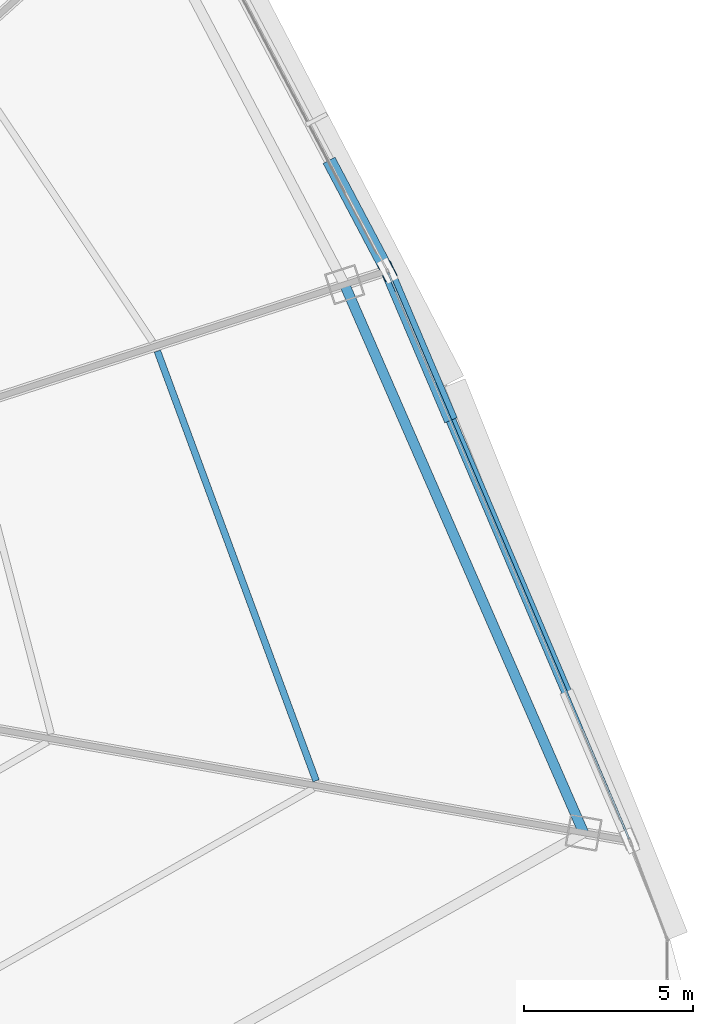
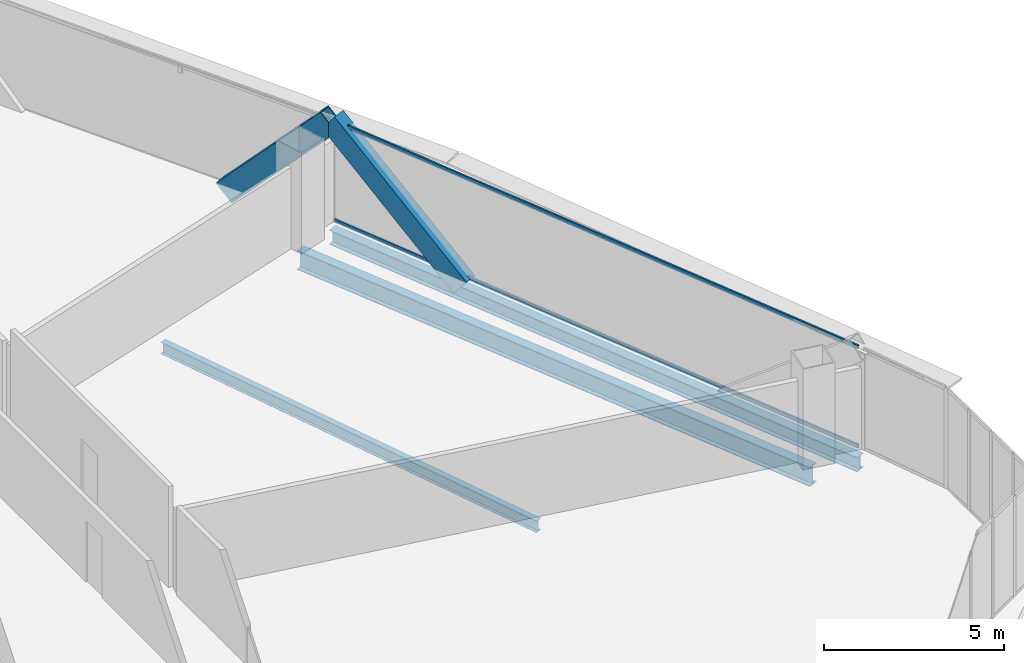
# One storey, part 27 of 41: 4 members, 3 beams, 1 element without a shape of its own.
"""IFC4 building model written with IfcOpenShell, lengths in metres."""

from ifc_helpers import new_model, si_unit, direction, frame, origin, origin_2d, place, context, subcontext, project, spatial, hollow_rectangle, i_section, extrude, source, transform, mapped, material, layer, layer_set, material_profile, profile_set, type_object, element, aggregate, save


model = new_model("IFC4")

# Units and contexts
model_context = context("Model", 3, precision=1e-05, world=origin(), true_north=direction((0.0, 1.0)))
body_context = subcontext(model_context, "Body", "Model", "MODEL_VIEW")
ifc_project = project(units=[si_unit("LENGTHUNIT", "METRE"), si_unit("AREAUNIT", "SQUARE_METRE"), si_unit("VOLUMEUNIT", "CUBIC_METRE"), si_unit("PLANEANGLEUNIT", "RADIAN"), si_unit("MASSUNIT", "GRAM", prefix="KILO"), si_unit("THERMODYNAMICTEMPERATUREUNIT", "KELVIN"), si_unit("POWERUNIT", "WATT")], contexts=[model_context])

# Site, building, storey
site_placement = place(None, origin())
site = spatial("IfcSite", under=ifc_project, at=site_placement, CompositionType="ELEMENT")
building_placement = place(site_placement, origin())
building = spatial("IfcBuilding", under=site, at=building_placement, Name="Yunzhuo Pagoda Commons", CompositionType="ELEMENT")
storey_placement = place(building_placement, frame((0.0, 0.0, 155.590087890625)))
storey = spatial("IfcBuildingStorey", under=building, at=storey_placement, Name="L39", CompositionType="ELEMENT", Elevation=155.590087890625)

# Beams
ifc_material_1 = material(Name="Structural steel Q355B", Category="steel")
ifc_material_profile_1 = material_profile(ifc_material_1, i_section(OverallWidth=0.300048828125, OverallDepth=0.64990234375, WebThickness=0.012939453125, FlangeThickness=0.02197265625, at=origin_2d()), Name="Structural steel Q355B")
ifc_profile_set_1 = profile_set([ifc_material_profile_1], Name="Structural steel Q355B")
beam_type_1 = type_object("IfcBeamType", Name="B-RG2 Beam HN 650x300x13x22", PredefinedType="BEAM", material=ifc_profile_set_1)
shared_shape_1 = source(origin(), body_context, "Body", "SweptSolid", [
    extrude(i_section(OverallWidth=0.300048828125, OverallDepth=0.64990234375, WebThickness=0.012939453125, FlangeThickness=0.02197265625, at=origin_2d()), origin(), (0.0, 0.0, 1.0), 17.72021484375),
])
beam_1_placement = place(storey_placement, frame((84.9970703125, 27.176513671875, -0.585205078125), z_axis=(-0.399643307961, 0.916670729544, 0.0), x_axis=(-0.916670729544, -0.399643307961, 0.0)))
element("IfcBeam", 1, at=beam_1_placement, inside=storey, type_object=beam_type_1, Name="L39 column-ring beam 5", PredefinedType="BEAM", context=body_context, shape_type="MappedRepresentation", body=[
    mapped(shared_shape_1, transform((0.0, 0.0, 0.0), scale=1.0)),
])
ifc_material_profile_2 = material_profile(ifc_material_1, i_section(OverallWidth=0.199951171875, OverallDepth=0.39990234375, WebThickness=0.008056640625, FlangeThickness=0.012939453125, at=origin_2d()), Name="Structural steel Q355B")
ifc_profile_set_2 = profile_set([ifc_material_profile_2], Name="Structural steel Q355B")
beam_type_2 = type_object("IfcBeamType", Name="B-JS1 Joist HN 400x200x8x13", PredefinedType="JOIST", material=ifc_profile_set_2)
shared_shape_2 = source(origin(), body_context, "Body", "SweptSolid", [
    extrude(i_section(OverallWidth=0.199951171875, OverallDepth=0.39990234375, WebThickness=0.008056640625, FlangeThickness=0.012939453125, at=origin_2d()), origin(), (0.0, 0.0, 1.0), 13.57763671875),
])
beam_2_placement = place(storey_placement, frame((77.07080078125, 28.71337890625, -0.460205078125), z_axis=(-0.346531829181, 0.938038214235, 0.0), x_axis=(-0.938038214235, -0.346531829181, 0.0)))
element("IfcBeam", 2, at=beam_2_placement, inside=storey, type_object=beam_type_2, Name="L39 composite ring joist 2.5", PredefinedType="JOIST", context=body_context, shape_type="MappedRepresentation", body=[
    mapped(shared_shape_2, transform((0.0, 0.0, 0.0), scale=1.0)),
])
ifc_material_profile_3 = material_profile(ifc_material_1, i_section(OverallWidth=0.300048828125, OverallDepth=0.488037109375, WebThickness=0.010986328125, FlangeThickness=0.01806640625, at=origin_2d()), Name="Structural steel Q355B")
ifc_profile_set_3 = profile_set([ifc_material_profile_3], Name="Structural steel Q355B")
beam_type_3 = type_object("IfcBeamType", Name="B-SP1 Beam HM 488x300x11x18", PredefinedType="BEAM", material=ifc_profile_set_3)
shared_shape_3 = source(origin(), body_context, "Body", "SweptSolid", [
    extrude(i_section(OverallWidth=0.300048828125, OverallDepth=0.488037109375, WebThickness=0.010986328125, FlangeThickness=0.01806640625, at=origin_2d()), origin(), (0.0, 0.0, 1.0), 18.362548828125),
])
beam_3_placement = place(storey_placement, frame((86.3701171875, 26.934326171875, -0.50390625), z_axis=(-0.391409773714, 0.920216490312, 0.0), x_axis=(-0.920216490312, -0.391409773714, 0.0)))
element("IfcBeam", 3, at=beam_3_placement, inside=storey, type_object=beam_type_3, Name="L39 facade edge spandrel beam F2.1", PredefinedType="BEAM", context=body_context, shape_type="MappedRepresentation", body=[
    mapped(shared_shape_3, transform((0.0, 0.0, 0.0), scale=1.0)),
])

# Members
ifc_material_profile_4 = material_profile(ifc_material_1, hollow_rectangle(XDim=0.39990234375, YDim=0.719970703125, WallThickness=0.02392578125, at=origin_2d()), Name="Structural steel Q355B")
ifc_profile_set_4 = profile_set([ifc_material_profile_4], Name="Structural steel Q355B")
member_type_1 = type_object("IfcMemberType", Name="M-DL2 Brace BOX 720x400x24", PredefinedType="BRACE", material=ifc_profile_set_4)
shared_shape_4 = source(origin(), body_context, "Body", "SweptSolid", [
    extrude(hollow_rectangle(XDim=0.39990234375, YDim=0.719970703125, WallThickness=0.02392578125, at=origin_2d()), origin(), (0.0, 0.0, 1.0), 5.883544921875),
])
member_1_placement = place(storey_placement, frame((80.9794921875, 39.607421875, -0.260009765625), z_axis=(-0.305370042865, 0.718007589577, 0.625471212951), x_axis=(-0.920230856435, -0.391375996793, 0.0)))
element("IfcMember", 4, at=member_1_placement, inside=storey, type_object=member_type_1, Name="L39 facade diamond brace F2.1R", PredefinedType="BRACE", context=body_context, shape_type="MappedRepresentation", body=[
    mapped(shared_shape_4, transform((0.0, 0.0, 0.0), scale=1.0)),
])
shared_shape_5 = source(origin(), body_context, "Body", "SweptSolid", [
    extrude(hollow_rectangle(XDim=0.39990234375, YDim=0.719970703125, WallThickness=0.02392578125, at=origin_2d()), origin(), (0.0, 0.0, 1.0), 5.0361328125),
])
member_2_placement = place(storey_placement, frame((77.575927734375, 46.871337890625, -0.260009765625), z_axis=(0.319078548014, -0.603544199753, 0.73070053999), x_axis=(0.884057218692, 0.467378683809, 0.0)))
element("IfcMember", 5, at=member_2_placement, inside=storey, type_object=member_type_1, Name="L39 facade diamond brace F2.2L", PredefinedType="BRACE", context=body_context, shape_type="MappedRepresentation", body=[
    mapped(shared_shape_5, transform((0.0, 0.0, 0.0), scale=1.0)),
])

# Curtain wall, members
ifc_material_2 = material(Name="Anodized aluminium 6063-T6", Category="aluminium")
ifc_layer = layer(ifc_material_2, 0.14990234375)
ifc_layer_set = layer_set([ifc_layer], Name="Anodized aluminium 6063-T6")
curtain_wall_type = type_object("IfcCurtainWallType", Name="CW-MID Mid-Zone Ribbon Curtain Wall", PredefinedType="NOTDEFINED", material=ifc_layer_set)
curtain_wall_placement = place(storey_placement, origin())
curtain_wall = element("IfcCurtainWall", 6, at=curtain_wall_placement, inside=storey, type_object=curtain_wall_type, Name="L39 curtain wall CW-L39-F2B2", PredefinedType="NOTDEFINED")
ifc_material_profile_5 = material_profile(ifc_material_2, hollow_rectangle(XDim=0.054931640625, YDim=0.1298828125, WallThickness=0.00341796875, at=origin_2d()), Name="Anodized aluminium 6063-T6")
ifc_profile_set_5 = profile_set([ifc_material_profile_5], Name="Anodized aluminium 6063-T6")
member_type_2 = type_object("IfcMemberType", Name="CW-MID-T Transom RHS 130x55x3.5", PredefinedType="USERDEFINED", material=ifc_profile_set_5)
shared_shape_6 = source(origin(), body_context, "Body", "SweptSolid", [
    extrude(hollow_rectangle(XDim=0.054931640625, YDim=0.1298828125, WallThickness=0.00341796875, at=origin_2d()), origin(), (0.0, 0.0, 1.0), 18.24267578125),
])
member_3_placement = place(storey_placement, frame((86.3466796875, 26.989501953125, 0.02734375), z_axis=(-0.391412675822, 0.920215255908, 0.0), x_axis=(-0.920215255908, -0.391412675822, 0.0)))
member_3 = element("IfcMember", 7, at=member_3_placement, type_object=member_type_2, Name="CW transom 1.1", ObjectType="TRANSOM", PredefinedType="USERDEFINED", context=body_context, shape_type="MappedRepresentation", body=[
    mapped(shared_shape_6, transform((0.0, 0.0, 0.0), scale=1.0)),
])
member_4_placement = place(storey_placement, frame((86.3466796875, 26.989501953125, 3.392333984375), z_axis=(-0.391412675822, 0.920215255908, 0.0), x_axis=(-0.920215255908, -0.391412675822, 0.0)))
member_4 = element("IfcMember", 8, at=member_4_placement, type_object=member_type_2, Name="CW transom 1.2", ObjectType="TRANSOM", PredefinedType="USERDEFINED", context=body_context, shape_type="MappedRepresentation", body=[
    mapped(shared_shape_6, transform((0.0, 0.0, 0.0), scale=1.0)),
])
aggregate(curtain_wall, [member_3, member_4])

save(model, "model.ifc")
